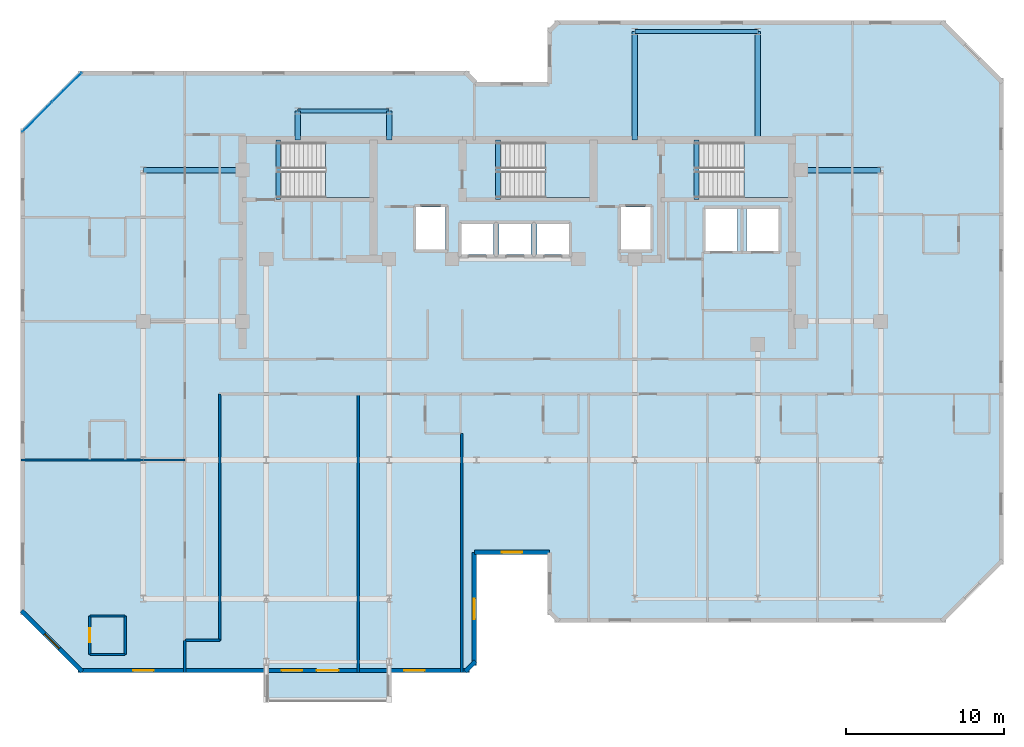
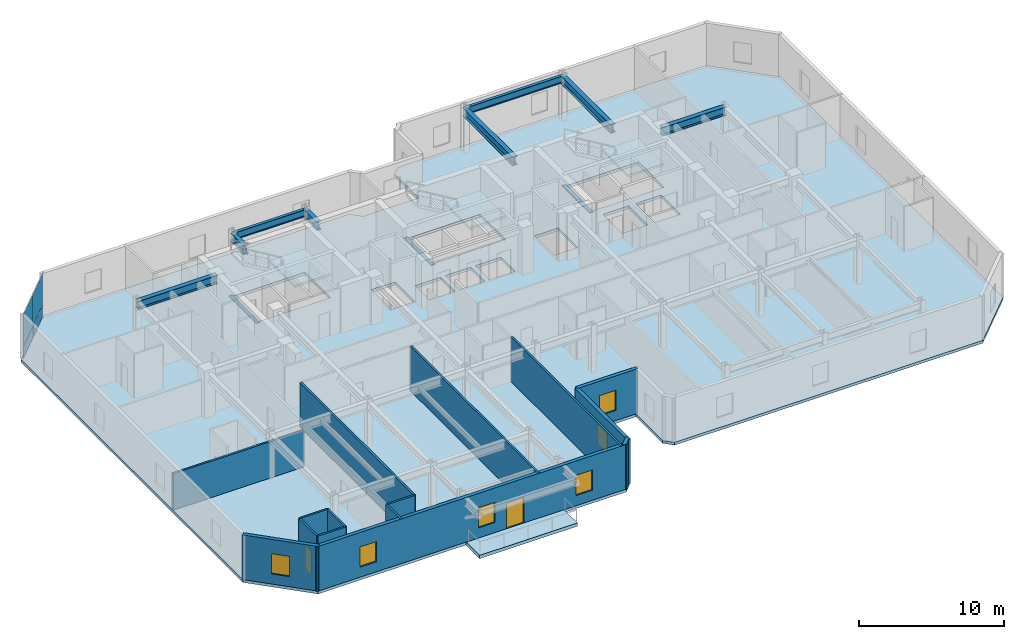
# One storey, part 3 of 10: 15 walls, 11 beams, 6 windows, 5 slabs, 4 plates, 2 doors, 8 openings, 4 elements without a shape of their own.
"""IFC4 building model written with IfcOpenShell, lengths in metres."""

from ifc_helpers import new_model, si_unit, direction, frame, frame_2d, origin, origin_2d, place, context, subcontext, project, spatial, polyline, rectangle, i_section, outline, extrude, material, layer, layer_set, material_profile, profile_set, type_object, element, fill, aggregate, save


model = new_model("IFC4")

# Units and contexts
model_context = context("Model", 3, precision=1e-05, world=origin(), true_north=direction((0.0, 1.0)))
body_context = subcontext(model_context, "Body", "Model", "MODEL_VIEW")
ifc_project = project(units=[si_unit("LENGTHUNIT", "METRE"), si_unit("AREAUNIT", "SQUARE_METRE"), si_unit("VOLUMEUNIT", "CUBIC_METRE"), si_unit("PLANEANGLEUNIT", "RADIAN"), si_unit("MASSUNIT", "GRAM", prefix="KILO")], contexts=[model_context])

# Site, building, storey
site_placement = place(None, origin())
site = spatial("IfcSite", under=ifc_project, at=site_placement, CompositionType="ELEMENT")
building_placement = place(site_placement, origin())
building = spatial("IfcBuilding", under=site, at=building_placement, Name="Kestravale Grand Hotel", CompositionType="ELEMENT")
storey_placement = place(building_placement, frame((0.0, 0.0, 273.39990234375)))
storey = spatial("IfcBuildingStorey", under=building, at=storey_placement, Name="L68", CompositionType="ELEMENT", Elevation=273.39990234375)

# Beams
ifc_material_1 = material(Name="Concrete f'c 45 MPa", Category="concrete")
ifc_material_profile_1 = material_profile(ifc_material_1, rectangle(XDim=0.300048828125, YDim=0.39990234375, at=origin_2d()))
ifc_profile_set_1 = profile_set([ifc_material_profile_1], Name="Concrete f'c 45 MPa")
beam_type_1 = type_object("IfcBeamType", Name="B-FLR-LNT400", PredefinedType="LINTEL", material=ifc_profile_set_1)
for number, where, z_axis, x_axis, name in (
    (1, (24.159912109375, 36.52001953125, -0.199951171875), (0.0, 1.0, 0.0), (-1.0, 0.0, 0.0), "L68 ST1 flight bottom header beam"),
    (2, (38.110107421875, 36.52001953125, -0.199951171875), (0.0, 1.0, 0.0), (-1.0, 0.0, 0.0), "L68 ST2 flight bottom header beam"),
    (3, (50.7099609375, 36.52001953125, -0.199951171875), (0.0, 1.0, 0.0), (-1.0, 0.0, 0.0), "L68 ST3 flight bottom header beam"),
):
    element("IfcBeam", number, at=place(storey_placement, frame(where, z_axis=z_axis, x_axis=x_axis)), inside=storey, type_object=beam_type_1, Name=name, PredefinedType="LINTEL", context=body_context, shape_type="SweptSolid", body=[
        extrude(rectangle(XDim=0.300048828125, YDim=0.39990234375, at=origin_2d()), origin(), (0.0, 0.0, 1.0), 3.800048828125),
    ])
ifc_material_2 = material(Name="Steel ASTM A992 Grade 50", Category="steel")
ifc_material_profile_2 = material_profile(ifc_material_2, i_section(OverallWidth=0.22900390625, OverallDepth=0.612060546875, WebThickness=0.011962890625, FlangeThickness=0.01953125, FilletRadius=0.019287109375, at=origin_2d()))
ifc_profile_set_2 = profile_set([ifc_material_profile_2], Name="Steel ASTM A992 Grade 50")
beam_type_2 = type_object("IfcBeamType", Name="B-FLR-W24B", PredefinedType="SPANDREL", material=ifc_profile_set_2)
beam_1_placement = place(storey_placement, frame((46.800048828125, 47.199951171875, 3.4541015625), z_axis=(1.0, 0.0, 0.0), x_axis=(0.0, 1.0, 0.0)))
element("IfcBeam", 4, at=beam_1_placement, inside=storey, type_object=beam_type_2, Name="L68 spandrel G:8-9", PredefinedType="SPANDREL", context=body_context, shape_type="SweptSolid", body=[
    extrude(i_section(OverallWidth=0.22900390625, OverallDepth=0.612060546875, WebThickness=0.011962890625, FlangeThickness=0.01953125, FilletRadius=0.019287109375, at=origin_2d()), origin(), (0.0, 0.0, 1.0), 7.800048828125),
])
beam_2_placement = place(storey_placement, frame((25.39990234375, 42.14990234375, 3.4541015625), z_axis=(1.0, 0.0, 0.0), x_axis=(0.0, 1.0, 0.0)))
element("IfcBeam", 5, at=beam_2_placement, inside=storey, type_object=beam_type_2, Name="L68 perimeter tie spandrel FN:4-5", PredefinedType="SPANDREL", context=body_context, shape_type="SweptSolid", body=[
    extrude(i_section(OverallWidth=0.22900390625, OverallDepth=0.612060546875, WebThickness=0.011962890625, FlangeThickness=0.01953125, FilletRadius=0.019287109375, at=origin_2d()), origin(), (0.0, 0.0, 1.0), 5.800048828125),
])
ifc_material_3 = material(Name="Steel ASTM A992 Grade 50", Category="steel")
ifc_material_profile_3 = material_profile(ifc_material_3, i_section(OverallWidth=0.35595703125, OverallDepth=0.696044921875, WebThickness=0.015380859375, FlangeThickness=0.02490234375, FilletRadius=0.021240234375, at=origin_2d()))
ifc_profile_set_3 = profile_set([ifc_material_profile_3], Name="Steel ASTM A992 Grade 50")
beam_type_3 = type_object("IfcBeamType", Name="B-GRD-W27", PredefinedType="BEAM", material=ifc_profile_set_3)
beam_3_placement = place(storey_placement, frame((15.60009765625, 38.39990234375, 3.412109375), z_axis=(1.0, 0.0, 0.0), x_axis=(0.0, 1.0, 0.0)))
element("IfcBeam", 6, at=beam_3_placement, inside=storey, type_object=beam_type_3, Name="L68 girder F:3-CW", PredefinedType="BEAM", context=body_context, shape_type="SweptSolid", body=[
    extrude(i_section(OverallWidth=0.35595703125, OverallDepth=0.696044921875, WebThickness=0.015380859375, FlangeThickness=0.02490234375, FilletRadius=0.021240234375, at=origin_2d()), origin(), (0.0, 0.0, 1.0), 6.2998046875),
])
beam_4_placement = place(storey_placement, frame((57.35009765625, 38.39990234375, 3.412109375), z_axis=(1.0, 0.0, 0.0), x_axis=(0.0, 1.0, 0.0)))
element("IfcBeam", 7, at=beam_4_placement, inside=storey, type_object=beam_type_3, Name="L68 girder F:CE-10", PredefinedType="BEAM", context=body_context, shape_type="SweptSolid", body=[
    extrude(i_section(OverallWidth=0.35595703125, OverallDepth=0.696044921875, WebThickness=0.015380859375, FlangeThickness=0.02490234375, FilletRadius=0.021240234375, at=origin_2d()), origin(), (0.0, 0.0, 1.0), 5.0498046875),
])
for number, where, z_axis, x_axis, name in (
    (8, (25.39990234375, 40.320068359375, 3.412109375), (0.0, 1.0, 0.0), (-1.0, 0.0, 0.0), "L68 north wing tie girder 4:CN-FN"),
    (9, (31.199951171875, 40.320068359375, 3.412109375), (0.0, 1.0, 0.0), (-1.0, 0.0, 0.0), "L68 north wing tie girder 5:CN-FN"),
):
    element("IfcBeam", number, at=place(storey_placement, frame(where, z_axis=z_axis, x_axis=x_axis)), inside=storey, type_object=beam_type_3, Name=name, PredefinedType="BEAM", context=body_context, shape_type="SweptSolid", body=[
        extrude(i_section(OverallWidth=0.35595703125, OverallDepth=0.696044921875, WebThickness=0.015380859375, FlangeThickness=0.02490234375, FilletRadius=0.021240234375, at=origin_2d()), origin(), (0.0, 0.0, 1.0), 1.829833984375),
    ])
for number, where, z_axis, x_axis, name in (
    (10, (46.800048828125, 40.320068359375, 3.412109375), (0.0, 1.0, 0.0), (-1.0, 0.0, 0.0), "L68 north wing tie girder 8:CN-G"),
    (11, (54.60009765625, 40.320068359375, 3.412109375), (0.0, 1.0, 0.0), (-1.0, 0.0, 0.0), "L68 north wing tie girder 9:CN-G"),
):
    element("IfcBeam", number, at=place(storey_placement, frame(where, z_axis=z_axis, x_axis=x_axis)), inside=storey, type_object=beam_type_3, Name=name, PredefinedType="BEAM", context=body_context, shape_type="SweptSolid", body=[
        extrude(i_section(OverallWidth=0.35595703125, OverallDepth=0.696044921875, WebThickness=0.015380859375, FlangeThickness=0.02490234375, FilletRadius=0.021240234375, at=origin_2d()), origin(), (0.0, 0.0, 1.0), 6.8798828125),
    ])

# Curtain wall, plates
ifc_material_4 = material(Name="Thermally broken champagne-bronze aluminium and low-E glazing", Category="aluminium")
ifc_layer_1 = layer(ifc_material_4, 0.179931640625)
ifc_layer_set_1 = layer_set([ifc_layer_1], Name="CW-Z4")
curtain_wall_type = type_object("IfcCurtainWallType", Name="CW-Z4", PredefinedType="NOTDEFINED", material=ifc_layer_set_1)
curtain_wall_placement = place(storey_placement, origin())
curtain_wall = element("IfcCurtainWall", 12, at=curtain_wall_placement, inside=storey, type_object=curtain_wall_type, Name="L68 unitised curtain wall 18", PredefinedType="NOTDEFINED")
ifc_material_5 = material(Name="Insulated clear low-E double glazing IGU", Category="glass")
ifc_layer_2 = layer(ifc_material_5, 0.028076171875)
ifc_layer_set_2 = layer_set([ifc_layer_2], Name="CW-PNL-28")
plate_type = type_object("IfcPlateType", Name="CW-PNL-28", PredefinedType="CURTAIN_PANEL", material=ifc_layer_set_2)
plate_1_placement = place(storey_placement, frame((10.74462890625, 43.646728515625, 0.06494140625), z_axis=(0.0, 0.0, 1.0), x_axis=(-0.707106781187, -0.707106781187, 0.0)))
plate_1 = element("IfcPlate", 13, at=plate_1_placement, type_object=plate_type, Name="CW-Z4 panel 1.1", PredefinedType="CURTAIN_PANEL", context=body_context, shape_type="SweptSolid", body=[
    extrude(rectangle(XDim=2.609619140625, YDim=0.028076171875, at=origin_2d()), origin(), (0.0, 0.0, 1.0), 0.952392578125),
])
plate_2_placement = place(storey_placement, frame((10.74462890625, 43.646728515625, 1.08251953125), z_axis=(0.0, 0.0, 1.0), x_axis=(-0.707106781187, -0.707106781187, 0.0)))
plate_2 = element("IfcPlate", 14, at=plate_2_placement, type_object=plate_type, Name="CW-Z4 panel 1.2", PredefinedType="CURTAIN_PANEL", context=body_context, shape_type="SweptSolid", body=[
    extrude(rectangle(XDim=2.609619140625, YDim=0.028076171875, at=origin_2d()), origin(), (0.0, 0.0, 1.0), 2.612548828125),
])
plate_3_placement = place(storey_placement, frame((8.853271484375, 41.75537109375, 0.06494140625), z_axis=(0.0, 0.0, 1.0), x_axis=(-0.707106781187, -0.707106781187, 0.0)))
plate_3 = element("IfcPlate", 15, at=plate_3_placement, type_object=plate_type, Name="CW-Z4 panel 2.1", PredefinedType="CURTAIN_PANEL", context=body_context, shape_type="SweptSolid", body=[
    extrude(rectangle(XDim=2.609619140625, YDim=0.028076171875, at=origin_2d()), origin(), (0.0, 0.0, 1.0), 0.952392578125),
])
plate_4_placement = place(storey_placement, frame((8.853271484375, 41.75537109375, 1.08251953125), z_axis=(0.0, 0.0, 1.0), x_axis=(-0.707106781187, -0.707106781187, 0.0)))
plate_4 = element("IfcPlate", 16, at=plate_4_placement, type_object=plate_type, Name="CW-Z4 panel 2.2", PredefinedType="CURTAIN_PANEL", context=body_context, shape_type="SweptSolid", body=[
    extrude(rectangle(XDim=2.609619140625, YDim=0.028076171875, at=origin_2d()), origin(), (0.0, 0.0, 1.0), 2.612548828125),
])
aggregate(curtain_wall, [plate_1, plate_2, plate_3, plate_4])

# Slab
ifc_material_6 = material(Name="Concrete f'c 45 MPa", Category="concrete")
ifc_layer_3 = layer(ifc_material_6, 0.27001953125)
ifc_layer_set_3 = layer_set([ifc_layer_3], Name="ES-TERR-270")
slab_type_1 = type_object("IfcSlabType", Name="ES-TERR-270", PredefinedType="FLOOR", material=ifc_layer_set_3)
slab_1_placement = place(storey_placement, frame((0.0, 0.0, -0.27001953125)))
element("IfcSlab", 17, at=slab_1_placement, inside=storey, type_object=slab_type_1, Name="L68 spiralling planted garden terrace", PredefinedType="FLOOR", context=body_context, shape_type="SweptSolid", body=[
    extrude(outline(polyline([(23.39990234375, 4.64990234375), (31.199951171875, 4.64990234375), (31.199951171875, 6.5), (23.39990234375, 6.5), (23.39990234375, 4.64990234375)])), origin(), (0.0, 0.0, 1.0), 0.27001953125),
])

# Stair, slab
ifc_material_7 = material(Name="Concrete f'c 45 MPa", Category="concrete")
stair_type = type_object("IfcStairType", Name="ST-CORE-400", PredefinedType="HALF_TURN_STAIR", material=ifc_material_7)
stair_1_placement = place(storey_placement, origin())
stair_1 = element("IfcStair", 18, at=stair_1_placement, inside=storey, type_object=stair_type, Name="L68 ST-1", PredefinedType="HALF_TURN_STAIR")
ifc_material_8 = material(Name="Concrete f'c 45 MPa", Category="concrete")
ifc_layer_4 = layer(ifc_material_8, 0.199951171875)
ifc_layer_set_4 = layer_set([ifc_layer_4], Name="SLB-ST-LND200")
slab_type_2 = type_object("IfcSlabType", Name="SLB-ST-LND200", PredefinedType="LANDING", material=ifc_layer_set_4)
slab_2_placement = place(storey_placement, frame((0.0, 0.0, 1.800048828125)))
slab_2 = element("IfcSlab", 19, at=slab_2_placement, type_object=slab_type_2, Name="ST-1 landing 1", PredefinedType="LANDING", context=body_context, shape_type="SweptSolid", body=[
    extrude(outline(polyline([(27.159912109375, 36.64990234375), (30.0, 36.64990234375), (30.0, 40.159912109375), (27.159912109375, 40.159912109375), (27.159912109375, 36.64990234375)])), origin(), (0.0, 0.0, 1.0), 0.199951171875),
])
aggregate(stair_1, [slab_2])

stair_2_placement = place(storey_placement, origin())
stair_2 = element("IfcStair", 20, at=stair_2_placement, inside=storey, type_object=stair_type, Name="L68 ST-2", PredefinedType="HALF_TURN_STAIR")
slab_3_placement = place(storey_placement, frame((0.0, 0.0, 1.800048828125)))
slab_3 = element("IfcSlab", 21, at=slab_3_placement, type_object=slab_type_2, Name="ST-2 landing 1", PredefinedType="LANDING", context=body_context, shape_type="SweptSolid", body=[
    extrude(outline(polyline([(41.110107421875, 36.64990234375), (43.949951171875, 36.64990234375), (43.949951171875, 40.159912109375), (41.110107421875, 40.159912109375), (41.110107421875, 36.64990234375)])), origin(), (0.0, 0.0, 1.0), 0.199951171875),
])
aggregate(stair_2, [slab_3])

stair_3_placement = place(storey_placement, origin())
stair_3 = element("IfcStair", 22, at=stair_3_placement, inside=storey, type_object=stair_type, Name="L68 ST-3", PredefinedType="HALF_TURN_STAIR")
slab_4_placement = place(storey_placement, frame((0.0, 0.0, 1.800048828125)))
slab_4 = element("IfcSlab", 23, at=slab_4_placement, type_object=slab_type_2, Name="ST-3 landing 1", PredefinedType="LANDING", context=body_context, shape_type="SweptSolid", body=[
    extrude(outline(polyline([(53.7099609375, 36.64990234375), (56.550048828125, 36.64990234375), (56.550048828125, 40.159912109375), (53.7099609375, 40.159912109375), (53.7099609375, 36.64990234375)])), origin(), (0.0, 0.0, 1.0), 0.199951171875),
])
aggregate(stair_3, [slab_4])

# Slab
ifc_material_9 = material(Name="Concrete f'c 45 MPa", Category="concrete")
ifc_layer_5 = layer(ifc_material_9, 0.239990234375)
ifc_layer_set_5 = layer_set([ifc_layer_5], Name="SS-FLR-240")
slab_type_3 = type_object("IfcSlabType", Name="SS-FLR-240", PredefinedType="FLOOR", material=ifc_layer_set_5)
slab_5_placement = place(storey_placement, frame((0.0, 0.0, -0.239990234375)))
element("IfcSlab", 24, at=slab_5_placement, inside=storey, type_object=slab_type_3, Name="L68 structural floor slab", PredefinedType="FLOOR", context=body_context, shape_type="SweptSolid", body=[
    extrude(outline(polyline([(11.60009765625, 6.5), (36.14990234375, 6.5), (36.75, 7.10009765625), (36.75, 14.0), (41.25, 14.0), (41.25, 10.300048828125), (41.85009765625, 9.699951171875), (66.39990234375, 9.699951171875), (70.199951171875, 13.5), (70.199951171875, 44.10009765625), (66.39990234375, 47.89990234375), (41.85009765625, 47.89990234375), (41.25, 47.300048828125), (41.25, 44.0), (36.75, 44.0), (36.75, 44.10009765625), (36.14990234375, 44.699951171875), (11.60009765625, 44.699951171875), (7.800048828125, 40.89990234375), (7.800048828125, 10.300048828125), (11.60009765625, 6.5)]), holes=[polyline([(24.080078125, 36.64990234375), (30.0, 36.64990234375), (30.0, 40.159912109375), (24.080078125, 40.159912109375), (24.080078125, 36.64990234375)]), polyline([(38.030029296875, 36.64990234375), (43.949951171875, 36.64990234375), (43.949951171875, 40.159912109375), (38.030029296875, 40.159912109375), (38.030029296875, 36.64990234375)]), polyline([(50.6298828125, 36.64990234375), (56.550048828125, 36.64990234375), (56.550048828125, 40.159912109375), (50.6298828125, 40.159912109375), (50.6298828125, 36.64990234375)]), polyline([(35.780029296875, 33.030029296875), (37.820068359375, 33.030029296875), (37.820068359375, 34.969970703125), (35.780029296875, 34.969970703125), (35.780029296875, 33.030029296875)]), polyline([(38.179931640625, 33.030029296875), (40.219970703125, 33.030029296875), (40.219970703125, 34.969970703125), (38.179931640625, 34.969970703125), (38.179931640625, 33.030029296875)]), polyline([(40.580078125, 33.030029296875), (42.6201171875, 33.030029296875), (42.6201171875, 34.969970703125), (40.580078125, 34.969970703125), (40.580078125, 33.030029296875)]), polyline([(32.905029296875, 33.35498046875), (34.794921875, 33.35498046875), (34.794921875, 36.044921875), (32.905029296875, 36.044921875), (32.905029296875, 33.35498046875)]), polyline([(45.905029296875, 33.35498046875), (47.794921875, 33.35498046875), (47.794921875, 36.044921875), (45.905029296875, 36.044921875), (45.905029296875, 33.35498046875)]), polyline([(51.280029296875, 33.280029296875), (53.320068359375, 33.280029296875), (53.320068359375, 35.919921875), (51.280029296875, 35.919921875), (51.280029296875, 33.280029296875)]), polyline([(53.8798828125, 33.280029296875), (55.919921875, 33.280029296875), (55.919921875, 35.919921875), (53.8798828125, 35.919921875), (53.8798828125, 33.280029296875)])]), origin(), (0.0, 0.0, 1.0), 0.239990234375),
])

# Wall, openings, door, windows
ifc_material_10 = material(Name="Precast concrete f'c 45 MPa", Category="concrete")
ifc_layer_6 = layer(ifc_material_10, 0.280029296875)
ifc_layer_set_6 = layer_set([ifc_layer_6], Name="EW-PREC-280")
wall_type_1 = type_object("IfcWallType", Name="EW-PREC-280", PredefinedType="SOLIDWALL", material=ifc_layer_set_6)
wall_1_placement = place(storey_placement, frame((11.4599609375, 6.639892578125, 0.0), z_axis=(0.0, 0.0, 1.0), x_axis=(1.0, 0.0, 0.0)))
wall_1 = element("IfcWall", 25, at=wall_1_placement, inside=storey, type_object=wall_type_1, Name="L68 fluted precast facade wall 1", PredefinedType="SOLIDWALL", context=body_context, shape_type="SweptSolid", body=[
    extrude(rectangle(XDim=24.830078125, YDim=0.280029296875, at=frame_2d((12.4150390625, 0.0))), origin(), (0.0, 0.0, 1.0), 3.760009765625),
])
opening_1_placement = place(wall_1_placement, frame((15.139892578125, 0.0, 0.0)))
opening_1 = element("IfcOpeningElement", 26, at=opening_1_placement, cuts=wall_1, Name="Opening D-TERR-1400", PredefinedType="OPENING", context=body_context, shape_type="SweptSolid", body=[
    extrude(rectangle(XDim=1.39990234375, YDim=2.14990234375, at=frame_2d((0.699951171875, 1.074951171875))), frame((0.0, 0.14990234375, 0.0), z_axis=(0.0, -1.0, 0.0), x_axis=(1.0, 0.0, 0.0)), (0.0, 0.0, 1.0), 0.300048828125),
])
opening_2_placement = place(wall_1_placement, frame((3.48828125, 0.0, 0.85009765625)))
opening_2 = element("IfcOpeningElement", 27, at=opening_2_placement, cuts=wall_1, Name="Opening W-GUEST-1300", PredefinedType="OPENING", context=body_context, shape_type="SweptSolid", body=[
    extrude(rectangle(XDim=1.300048828125, YDim=1.699951171875, at=frame_2d((0.64990234375, 0.85009765625))), frame((0.0, 0.14990234375, 0.0), z_axis=(0.0, -1.0, 0.0), x_axis=(1.0, 0.0, 0.0)), (0.0, 0.0, 1.0), 0.300048828125),
])
opening_3_placement = place(wall_1_placement, frame((12.9150390625, 0.0, 0.85009765625)))
opening_3 = element("IfcOpeningElement", 28, at=opening_3_placement, cuts=wall_1, Name="Opening W-GUEST-1300", PredefinedType="OPENING", context=body_context, shape_type="SweptSolid", body=[
    extrude(rectangle(XDim=1.300048828125, YDim=1.699951171875, at=frame_2d((0.64990234375, 0.85009765625))), frame((0.0, 0.14990234375, 0.0), z_axis=(0.0, -1.0, 0.0), x_axis=(1.0, 0.0, 0.0)), (0.0, 0.0, 1.0), 0.300048828125),
])
opening_4_placement = place(wall_1_placement, frame((20.691650390625, 0.0, 0.85009765625)))
opening_4 = element("IfcOpeningElement", 29, at=opening_4_placement, cuts=wall_1, Name="Opening W-GUEST-1300", PredefinedType="OPENING", context=body_context, shape_type="SweptSolid", body=[
    extrude(rectangle(XDim=1.300048828125, YDim=1.699951171875, at=frame_2d((0.64990234375, 0.85009765625))), frame((0.0, 0.14990234375, 0.0), z_axis=(0.0, -1.0, 0.0), x_axis=(1.0, 0.0, 0.0)), (0.0, 0.0, 1.0), 0.300048828125),
])
ifc_material_11 = material(Name="Insulated glazed champagne-bronze aluminium door", Category="aluminium")
door_type_1 = type_object("IfcDoorType", Name="D-TERR-1400", OperationType="NOTDEFINED", PredefinedType="DOOR", material=ifc_material_11)
door_1_placement = place(opening_1_placement, origin())
door_1 = element("IfcDoor", 30, at=door_1_placement, inside=storey, type_object=door_type_1, Name="L68 outdoor garden terrace door", OperationType="DOUBLE_DOOR_SINGLE_SWING", OverallHeight=2.14990234375, OverallWidth=1.39990234375, PredefinedType="DOOR", context=body_context, shape_type="SweptSolid", body=[
    extrude(rectangle(XDim=1.39990234375, YDim=2.14990234375, at=frame_2d((0.699951171875, 1.074951171875))), frame((0.0, 0.02490234375, 0.0), z_axis=(0.0, -1.0, 0.0), x_axis=(1.0, 0.0, 0.0)), (0.0, 0.0, 1.0), 0.050048828125),
])
fill(opening_1, door_1)
ifc_material_12 = material(Name="Insulated low-E double glazing in aluminium frame", Category="aluminium")
window_type = type_object("IfcWindowType", Name="W-GUEST-1300", PartitioningType="SINGLE_PANEL", PredefinedType="WINDOW", material=ifc_material_12)
window_1_placement = place(opening_2_placement, origin())
window_1 = element("IfcWindow", 31, at=window_1_placement, inside=storey, type_object=window_type, Name="L68 exterior window 1.1", OverallHeight=1.699951171875, OverallWidth=1.300048828125, PartitioningType="SINGLE_PANEL", PredefinedType="WINDOW", context=body_context, shape_type="SweptSolid", body=[
    extrude(rectangle(XDim=1.300048828125, YDim=1.699951171875, at=frame_2d((0.64990234375, 0.85009765625))), frame((0.0, 0.030029296875, 0.0), z_axis=(0.0, -1.0, 0.0), x_axis=(1.0, 0.0, 0.0)), (0.0, 0.0, 1.0), 0.06005859375),
])
fill(opening_2, window_1)
window_2_placement = place(opening_3_placement, origin())
window_2 = element("IfcWindow", 32, at=window_2_placement, inside=storey, type_object=window_type, Name="L68 exterior window 1.2", OverallHeight=1.699951171875, OverallWidth=1.300048828125, PartitioningType="SINGLE_PANEL", PredefinedType="WINDOW", context=body_context, shape_type="SweptSolid", body=[
    extrude(rectangle(XDim=1.300048828125, YDim=1.699951171875, at=frame_2d((0.64990234375, 0.85009765625))), frame((0.0, 0.030029296875, 0.0), z_axis=(0.0, -1.0, 0.0), x_axis=(1.0, 0.0, 0.0)), (0.0, 0.0, 1.0), 0.06005859375),
])
fill(opening_3, window_2)
window_3_placement = place(opening_4_placement, origin())
window_3 = element("IfcWindow", 33, at=window_3_placement, inside=storey, type_object=window_type, Name="L68 exterior window 1.3", OverallHeight=1.699951171875, OverallWidth=1.300048828125, PartitioningType="SINGLE_PANEL", PredefinedType="WINDOW", context=body_context, shape_type="SweptSolid", body=[
    extrude(rectangle(XDim=1.300048828125, YDim=1.699951171875, at=frame_2d((0.64990234375, 0.85009765625))), frame((0.0, 0.030029296875, 0.0), z_axis=(0.0, -1.0, 0.0), x_axis=(1.0, 0.0, 0.0)), (0.0, 0.0, 1.0), 0.06005859375),
])
fill(opening_4, window_3)

# Wall
wall_2_placement = place(storey_placement, frame((36.022705078125, 6.57080078125, 0.0), z_axis=(0.0, 0.0, 1.0), x_axis=(0.707106781187, 0.707106781187, 0.0)))
element("IfcWall", 34, at=wall_2_placement, inside=storey, type_object=wall_type_1, Name="L68 fluted precast facade wall 2", PredefinedType="SOLIDWALL", context=body_context, shape_type="SweptSolid", body=[
    extrude(rectangle(XDim=0.928466796875, YDim=0.280029296875, at=frame_2d((0.46435546875, 0.0))), origin(), (0.0, 0.0, 1.0), 3.760009765625),
])

# Wall, opening, window
wall_3_placement = place(storey_placement, frame((36.610107421875, 6.9599609375, 0.0), z_axis=(0.0, 0.0, 1.0), x_axis=(0.0, 1.0, 0.0)))
wall_3 = element("IfcWall", 35, at=wall_3_placement, inside=storey, type_object=wall_type_1, Name="L68 fluted precast facade wall 3", PredefinedType="SOLIDWALL", context=body_context, shape_type="SweptSolid", body=[
    extrude(rectangle(XDim=7.179931640625, YDim=0.280029296875, at=frame_2d((3.58984375, 0.0))), origin(), (0.0, 0.0, 1.0), 3.760009765625),
])
opening_5_placement = place(wall_3_placement, frame((2.93994140625, 0.0, 0.85009765625)))
opening_5 = element("IfcOpeningElement", 36, at=opening_5_placement, cuts=wall_3, Name="Opening W-GUEST-1300", PredefinedType="OPENING", context=body_context, shape_type="SweptSolid", body=[
    extrude(rectangle(XDim=1.300048828125, YDim=1.699951171875, at=frame_2d((0.64990234375, 0.85009765625))), frame((0.0, 0.14990234375, 0.0), z_axis=(0.0, -1.0, 0.0), x_axis=(1.0, 0.0, 0.0)), (0.0, 0.0, 1.0), 0.300048828125),
])
window_4_placement = place(opening_5_placement, origin())
window_4 = element("IfcWindow", 37, at=window_4_placement, inside=storey, type_object=window_type, Name="L68 exterior window 3.1", OverallHeight=1.699951171875, OverallWidth=1.300048828125, PartitioningType="SINGLE_PANEL", PredefinedType="WINDOW", context=body_context, shape_type="SweptSolid", body=[
    extrude(rectangle(XDim=1.300048828125, YDim=1.699951171875, at=frame_2d((0.64990234375, 0.85009765625))), frame((0.0, 0.030029296875, 0.0), z_axis=(0.0, -1.0, 0.0), x_axis=(1.0, 0.0, 0.0)), (0.0, 0.0, 1.0), 0.06005859375),
])
fill(opening_5, window_4)

wall_4_placement = place(storey_placement, frame((36.610107421875, 14.139892578125, 0.0), z_axis=(0.0, 0.0, 1.0), x_axis=(1.0, 0.0, 0.0)))
wall_4 = element("IfcWall", 38, at=wall_4_placement, inside=storey, type_object=wall_type_1, Name="L68 fluted precast facade wall 4", PredefinedType="SOLIDWALL", context=body_context, shape_type="SweptSolid", body=[
    extrude(rectangle(XDim=4.77978515625, YDim=0.280029296875, at=frame_2d((2.389892578125, 0.0))), origin(), (0.0, 0.0, 1.0), 3.760009765625),
])
opening_6_placement = place(wall_4_placement, frame((1.739990234375, 0.0, 0.85009765625)))
opening_6 = element("IfcOpeningElement", 39, at=opening_6_placement, cuts=wall_4, Name="Opening W-GUEST-1300", PredefinedType="OPENING", context=body_context, shape_type="SweptSolid", body=[
    extrude(rectangle(XDim=1.300048828125, YDim=1.699951171875, at=frame_2d((0.64990234375, 0.85009765625))), frame((0.0, 0.14990234375, 0.0), z_axis=(0.0, -1.0, 0.0), x_axis=(1.0, 0.0, 0.0)), (0.0, 0.0, 1.0), 0.300048828125),
])
window_5_placement = place(opening_6_placement, origin())
window_5 = element("IfcWindow", 40, at=window_5_placement, inside=storey, type_object=window_type, Name="L68 exterior window 4.1", OverallHeight=1.699951171875, OverallWidth=1.300048828125, PartitioningType="SINGLE_PANEL", PredefinedType="WINDOW", context=body_context, shape_type="SweptSolid", body=[
    extrude(rectangle(XDim=1.300048828125, YDim=1.699951171875, at=frame_2d((0.64990234375, 0.85009765625))), frame((0.0, 0.030029296875, 0.0), z_axis=(0.0, -1.0, 0.0), x_axis=(1.0, 0.0, 0.0)), (0.0, 0.0, 1.0), 0.06005859375),
])
fill(opening_6, window_5)

wall_5_placement = place(storey_placement, frame((7.87060546875, 10.42724609375, 0.0), z_axis=(0.0, 0.0, 1.0), x_axis=(0.707129162587, -0.707084399077, 0.0)))
wall_5 = element("IfcWall", 41, at=wall_5_placement, inside=storey, type_object=wall_type_1, Name="L68 fluted precast facade wall 20", PredefinedType="SOLIDWALL", context=body_context, shape_type="SweptSolid", body=[
    extrude(rectangle(XDim=5.4541015625, YDim=0.280029296875, at=frame_2d((2.72705078125, 0.0))), origin(), (0.0, 0.0, 1.0), 3.760009765625),
])
opening_7_placement = place(wall_5_placement, frame((2.076904296875, 0.0, 0.85009765625)))
opening_7 = element("IfcOpeningElement", 42, at=opening_7_placement, cuts=wall_5, Name="Opening W-GUEST-1300", PredefinedType="OPENING", context=body_context, shape_type="SweptSolid", body=[
    extrude(rectangle(XDim=1.300048828125, YDim=1.699951171875, at=frame_2d((0.64990234375, 0.85009765625))), frame((0.0, 0.14990234375, 0.0), z_axis=(0.0, -1.0, 0.0), x_axis=(1.0, 0.0, 0.0)), (0.0, 0.0, 1.0), 0.300048828125),
])
window_6_placement = place(opening_7_placement, origin())
window_6 = element("IfcWindow", 43, at=window_6_placement, inside=storey, type_object=window_type, Name="L68 exterior window 20.1", OverallHeight=1.699951171875, OverallWidth=1.300048828125, PartitioningType="SINGLE_PANEL", PredefinedType="WINDOW", context=body_context, shape_type="SweptSolid", body=[
    extrude(rectangle(XDim=1.300048828125, YDim=1.699951171875, at=frame_2d((0.64990234375, 0.85009765625))), frame((0.0, 0.030029296875, 0.0), z_axis=(0.0, -1.0, 0.0), x_axis=(1.0, 0.0, 0.0)), (0.0, 0.0, 1.0), 0.06005859375),
])
fill(opening_7, window_6)

# Wall
ifc_material_13 = material(Name="Acoustic fire-rated gypsum board partition", Category="other")
ifc_layer_7 = layer(ifc_material_13, 0.159912109375)
ifc_layer_set_7 = layer_set([ifc_layer_7], Name="IW-CORR-160")
wall_type_2 = type_object("IfcWallType", Name="IW-CORR-160", PredefinedType="PARTITIONING", material=ifc_layer_set_7)
wall_6_placement = place(storey_placement, frame((20.4599609375, 8.550048828125, 0.0), z_axis=(0.0, 0.0, 1.0), x_axis=(0.0, 1.0, 0.0)))
element("IfcWall", 44, at=wall_6_placement, inside=storey, type_object=wall_type_2, Name="W-L68-SW-E", PredefinedType="PARTITIONING", context=body_context, shape_type="SweptSolid", body=[
    extrude(rectangle(XDim=15.639892578125, YDim=0.159912109375, at=frame_2d((7.81982421875, 0.0))), origin(), (0.0, 0.0, 1.0), 3.760009765625),
])

# Wall, opening, door
ifc_material_14 = material(Name="Moisture-resistant tile-backer plumbing chase wall", Category="other")
ifc_layer_8 = layer(ifc_material_14, 0.139892578125)
ifc_layer_set_8 = layer_set([ifc_layer_8], Name="IW-PLB-140")
wall_type_3 = type_object("IfcWallType", Name="IW-PLB-140", PredefinedType="PLUMBINGWALL", material=ifc_layer_set_8)
wall_7_placement = place(storey_placement, frame((12.199951171875, 7.64990234375, 0.0), z_axis=(0.0, 0.0, 1.0), x_axis=(0.0, 1.0, 0.0)))
wall_7 = element("IfcWall", 45, at=wall_7_placement, inside=storey, type_object=wall_type_3, Name="W-L68-U04-BW", PredefinedType="PLUMBINGWALL", context=body_context, shape_type="SweptSolid", body=[
    extrude(rectangle(XDim=2.4501953125, YDim=0.139892578125, at=frame_2d((1.22509765625, 0.0))), origin(), (0.0, 0.0, 1.0), 3.760009765625),
])
opening_8_placement = place(wall_7_placement, frame((0.784912109375, 0.0, 0.0)))
opening_8 = element("IfcOpeningElement", 46, at=opening_8_placement, cuts=wall_7, Name="Opening D-BATH-880", PredefinedType="OPENING", context=body_context, shape_type="SweptSolid", body=[
    extrude(rectangle(XDim=0.8798828125, YDim=2.050048828125, at=frame_2d((0.43994140625, 1.02490234375))), frame((0.0, 0.079833984375, 0.0), z_axis=(0.0, -1.0, 0.0), x_axis=(1.0, 0.0, 0.0)), (0.0, 0.0, 1.0), 0.159912109375),
])
ifc_material_15 = material(Name="Moisture-sealed walnut en-suite bathroom door", Category="wood")
door_type_2 = type_object("IfcDoorType", Name="D-BATH-880", OperationType="NOTDEFINED", PredefinedType="DOOR", material=ifc_material_15)
door_2_placement = place(opening_8_placement, origin())
door_2 = element("IfcDoor", 47, at=door_2_placement, inside=storey, type_object=door_type_2, Name="D-L68-U04-BATH", OperationType="SINGLE_SWING_RIGHT", OverallHeight=2.050048828125, OverallWidth=0.8798828125, PredefinedType="DOOR", context=body_context, shape_type="SweptSolid", body=[
    extrude(rectangle(XDim=0.8798828125, YDim=2.050048828125, at=frame_2d((0.43994140625, 1.02490234375))), frame((0.0, 0.02490234375, 0.0), z_axis=(0.0, -1.0, 0.0), x_axis=(1.0, 0.0, 0.0)), (0.0, 0.0, 1.0), 0.050048828125),
])
fill(opening_8, door_2)

# Walls
wall_8_placement = place(storey_placement, frame((14.449951171875, 7.64990234375, 0.0), z_axis=(0.0, 0.0, 1.0), x_axis=(0.0, 1.0, 0.0)))
element("IfcWall", 48, at=wall_8_placement, inside=storey, type_object=wall_type_3, Name="W-L68-U04-BE", PredefinedType="PLUMBINGWALL", context=body_context, shape_type="SweptSolid", body=[
    extrude(rectangle(XDim=2.4501953125, YDim=0.139892578125, at=frame_2d((1.22509765625, 0.0))), origin(), (0.0, 0.0, 1.0), 3.760009765625),
])
for number, where, z_axis, x_axis, name in (
    (49, (12.199951171875, 7.64990234375, 0.0), (0.0, 0.0, 1.0), (1.0, 0.0, 0.0), "W-L68-U04-BS"),
    (50, (12.199951171875, 10.10009765625, 0.0), (0.0, 0.0, 1.0), (1.0, 0.0, 0.0), "W-L68-U04-BN"),
):
    element("IfcWall", number, at=place(storey_placement, frame(where, z_axis=z_axis, x_axis=x_axis)), inside=storey, type_object=wall_type_3, Name=name, PredefinedType="PLUMBINGWALL", context=body_context, shape_type="SweptSolid", body=[
        extrude(rectangle(XDim=2.25, YDim=0.139892578125, at=frame_2d((1.125, 0.0))), origin(), (0.0, 0.0, 1.0), 3.760009765625),
    ])
ifc_material_16 = material(Name="Double-stud STC 52 acoustic demising partition", Category="other")
ifc_layer_9 = layer(ifc_material_16, 0.14990234375)
ifc_layer_set_9 = layer_set([ifc_layer_9], Name="IW-UNIT-150")
wall_type_4 = type_object("IfcWallType", Name="IW-UNIT-150", PredefinedType="PARTITIONING", material=ifc_layer_set_9)
wall_9_placement = place(storey_placement, frame((18.239990234375, 8.550048828125, 0.0), z_axis=(0.0, 0.0, 1.0), x_axis=(1.0, 0.0, 0.0)))
element("IfcWall", 51, at=wall_9_placement, inside=storey, type_object=wall_type_4, Name="W-L68-SW-S", PredefinedType="PARTITIONING", context=body_context, shape_type="SweptSolid", body=[
    extrude(rectangle(XDim=2.219970703125, YDim=0.14990234375, at=frame_2d((1.10986328125, 0.0))), origin(), (0.0, 0.0, 1.0), 3.760009765625),
])
wall_10_placement = place(storey_placement, frame((29.22998046875, 6.52001953125, 0.0), z_axis=(0.0, 0.0, 1.0), x_axis=(0.0, 1.0, 0.0)))
element("IfcWall", 52, at=wall_10_placement, inside=storey, type_object=wall_type_4, Name="W-L68-WS-1", PredefinedType="PARTITIONING", context=body_context, shape_type="SweptSolid", body=[
    extrude(rectangle(XDim=17.669921875, YDim=0.14990234375, at=frame_2d((8.8349609375, 0.0))), origin(), (0.0, 0.0, 1.0), 3.760009765625),
])
wall_11_placement = place(storey_placement, frame((35.800048828125, 6.52001953125, 0.0), z_axis=(0.0, 0.0, 1.0), x_axis=(0.0, 1.0, 0.0)))
element("IfcWall", 53, at=wall_11_placement, inside=storey, type_object=wall_type_4, Name="W-L68-MID-S", PredefinedType="PARTITIONING", context=body_context, shape_type="SweptSolid", body=[
    extrude(rectangle(XDim=15.159912109375, YDim=0.14990234375, at=frame_2d((7.580078125, 0.0))), origin(), (0.0, 0.0, 1.0), 3.760009765625),
])
wall_12_placement = place(storey_placement, frame((18.239990234375, 6.52001953125, 0.0), z_axis=(0.0, 0.0, 1.0), x_axis=(0.0, 1.0, 0.0)))
element("IfcWall", 54, at=wall_12_placement, inside=storey, type_object=wall_type_4, Name="W-L68-SW-EXT", PredefinedType="PARTITIONING", context=body_context, shape_type="SweptSolid", body=[
    extrude(rectangle(XDim=2.030029296875, YDim=0.14990234375, at=frame_2d((1.01513671875, 0.0))), origin(), (0.0, 0.0, 1.0), 3.760009765625),
])
wall_13_placement = place(storey_placement, frame((7.820068359375, 20.0, 0.0), z_axis=(0.0, 0.0, 1.0), x_axis=(1.0, 0.0, 0.0)))
element("IfcWall", 55, at=wall_13_placement, inside=storey, type_object=wall_type_4, Name="W-L68-WW-1", PredefinedType="PARTITIONING", context=body_context, shape_type="SweptSolid", body=[
    extrude(rectangle(XDim=10.419921875, YDim=0.14990234375, at=frame_2d((5.2099609375, 0.0))), origin(), (0.0, 0.0, 1.0), 3.064208984375),
])

save(model, "model.ifc")
